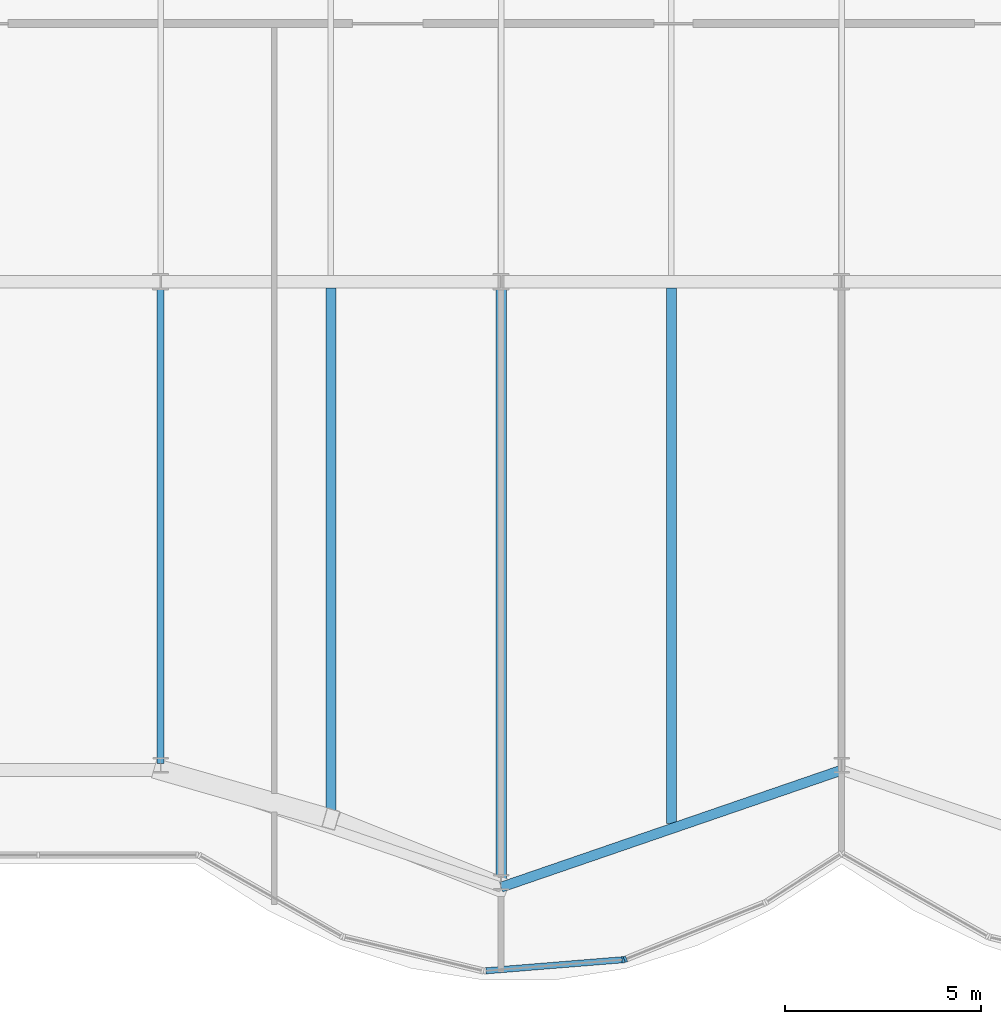
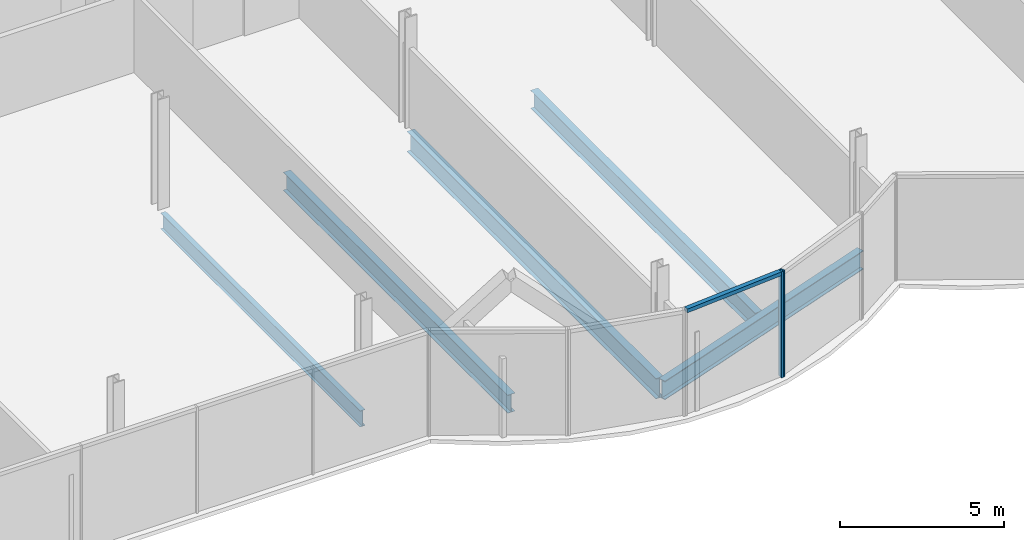
# One storey, part 5 of 21: 5 beams, 3 members, 1 element without a shape of its own.
"""IFC4 building model written with IfcOpenShell, lengths in metres."""

from ifc_helpers import new_model, si_unit, direction, frame, origin, origin_2d, place, context, subcontext, project, spatial, rectangle, i_section, extrude, material, material_profile, profile_set, type_object, element, aggregate, save


model = new_model("IFC4")

# Units and contexts
model_context = context("Model", 3, precision=1e-05, world=origin(), true_north=direction((0.0, 1.0)))
body_context = subcontext(model_context, "Body", "Model", "MODEL_VIEW")
ifc_project = project(units=[si_unit("LENGTHUNIT", "METRE"), si_unit("AREAUNIT", "SQUARE_METRE"), si_unit("VOLUMEUNIT", "CUBIC_METRE"), si_unit("PLANEANGLEUNIT", "RADIAN"), si_unit("MASSUNIT", "GRAM", prefix="KILO")], contexts=[model_context])

# Site, building, storey
site_placement = place(None, origin())
site = spatial("IfcSite", under=ifc_project, at=site_placement, CompositionType="ELEMENT")
building_placement = place(site_placement, origin())
building = spatial("IfcBuilding", under=site, at=building_placement, Name="Bicima Exchange Tower", CompositionType="ELEMENT")
storey_placement = place(building_placement, frame((0.0, 0.0, 126.800048828125)))
storey = spatial("IfcBuildingStorey", under=building, at=storey_placement, Name="L27", CompositionType="ELEMENT", Elevation=126.800048828125)

# Beams
ifc_material_1 = material(Name="Steel ASTM A992 Gr 50", Category="steel")
ifc_material_profile_1 = material_profile(ifc_material_1, i_section(OverallWidth=0.177978515625, OverallDepth=0.599365234375, WebThickness=0.010009765625, FlangeThickness=0.012939453125, at=origin_2d()))
ifc_profile_set_1 = profile_set([ifc_material_profile_1], Name="Steel ASTM A992 Gr 50")
beam_type_1 = type_object("IfcBeamType", Name="Floor beam W24x55", PredefinedType="JOIST", material=ifc_profile_set_1)
beam_1_placement = place(storey_placement, frame((-17.39990234375, -22.16259765625, -0.44970703125), z_axis=(0.0, -1.0, 0.0), x_axis=(1.0, 0.0, 0.0)))
element("IfcBeam", 1, at=beam_1_placement, inside=storey, type_object=beam_type_1, Name="Floor beam", PredefinedType="JOIST", context=body_context, shape_type="SweptSolid", body=[
    extrude(i_section(OverallWidth=0.177978515625, OverallDepth=0.599365234375, WebThickness=0.010009765625, FlangeThickness=0.012939453125, at=origin_2d()), origin(), (0.0, 0.0, 1.0), 12.15087890625),
])
ifc_material_profile_2 = material_profile(ifc_material_1, i_section(OverallWidth=0.25390625, OverallDepth=0.67822265625, WebThickness=0.01171875, FlangeThickness=0.016357421875, at=origin_2d()))
ifc_profile_set_2 = profile_set([ifc_material_profile_2], Name="Steel ASTM A992 Gr 50")
beam_type_2 = type_object("IfcBeamType", Name="Floor beam W27x84", PredefinedType="JOIST", material=ifc_profile_set_2)
for number, where, z_axis, x_axis, name in (
    (2, (-13.050048828125, -22.16259765625, -0.4892578125), (0.0, -1.0, 0.0), (1.0, 0.0, 0.0), "Floor beam"),
    (3, (-4.35009765625, -22.16259765625, -0.4892578125), (0.0, -1.0, 0.0), (1.0, 0.0, 0.0), "Floor beam"),
):
    element("IfcBeam", number, at=place(storey_placement, frame(where, z_axis=z_axis, x_axis=x_axis)), inside=storey, type_object=beam_type_2, Name=name, PredefinedType="JOIST", context=body_context, shape_type="SweptSolid", body=[
        extrude(i_section(OverallWidth=0.25390625, OverallDepth=0.67822265625, WebThickness=0.01171875, FlangeThickness=0.016357421875, at=origin_2d()), origin(), (0.0, 0.0, 1.0), 13.67333984375),
    ])
ifc_material_profile_3 = material_profile(ifc_material_1, i_section(OverallWidth=0.2666015625, OverallDepth=0.75439453125, WebThickness=0.01318359375, FlangeThickness=0.01708984375, at=origin_2d()))
ifc_profile_set_3 = profile_set([ifc_material_profile_3], Name="Steel ASTM A992 Gr 50")
beam_type_3 = type_object("IfcBeamType", Name="Floor beam W30x99", PredefinedType="JOIST", material=ifc_profile_set_3)
beam_2_placement = place(storey_placement, frame((-8.699951171875, -22.16259765625, -0.52734375), z_axis=(0.0, -1.0, 0.0), x_axis=(1.0, 0.0, 0.0)))
element("IfcBeam", 4, at=beam_2_placement, inside=storey, type_object=beam_type_3, Name="Floor beam", PredefinedType="JOIST", context=body_context, shape_type="SweptSolid", body=[
    extrude(i_section(OverallWidth=0.2666015625, OverallDepth=0.75439453125, WebThickness=0.01318359375, FlangeThickness=0.01708984375, at=origin_2d()), origin(), (0.0, 0.0, 1.0), 15.168701171875),
])
ifc_material_profile_4 = material_profile(ifc_material_1, i_section(OverallWidth=0.256591796875, OverallDepth=0.693359375, WebThickness=0.014404296875, FlangeThickness=0.023681640625, at=origin_2d()))
ifc_profile_set_4 = profile_set([ifc_material_profile_4], Name="Steel ASTM A992 Gr 50")
beam_type_4 = type_object("IfcBeamType", Name="Front girder W27x114", PredefinedType="BEAM", material=ifc_profile_set_4)
beam_3_placement = place(storey_placement, frame((-8.699951171875, -37.467041015625, -0.496826171875), z_axis=(0.945674616091, 0.32511462668, 0.0), x_axis=(-0.32511462668, 0.945674616091, 0.0)))
element("IfcBeam", 5, at=beam_3_placement, inside=storey, type_object=beam_type_4, Name="Front girder", PredefinedType="BEAM", context=body_context, shape_type="SweptSolid", body=[
    extrude(i_section(OverallWidth=0.256591796875, OverallDepth=0.693359375, WebThickness=0.014404296875, FlangeThickness=0.023681640625, at=origin_2d()), origin(), (0.0, 0.0, 1.0), 9.19970703125),
])

# Curtain wall, members
ifc_material_2 = material(Name="Anodised bronze aluminium", Category="aluminium")
curtain_wall_type = type_object("IfcCurtainWallType", Name="Front glass wall", PredefinedType="NOTDEFINED", material=ifc_material_2)
curtain_wall_placement = place(storey_placement, origin())
curtain_wall = element("IfcCurtainWall", 6, at=curtain_wall_placement, inside=storey, type_object=curtain_wall_type, Name="Front glass wall L27 run 6", PredefinedType="NOTDEFINED")
ifc_material_profile_5 = material_profile(ifc_material_2, rectangle(XDim=0.159912109375, YDim=0.06005859375, at=origin_2d()))
ifc_profile_set_5 = profile_set([ifc_material_profile_5], Name="Anodised bronze aluminium")
member_type_1 = type_object("IfcMemberType", Name="Front glass wall mullion 60 x 160", PredefinedType="MULLION", material=ifc_profile_set_5)
member_1_placement = place(storey_placement, frame((-5.583984375, -39.32080078125, 0.0), z_axis=(0.0, 0.0, 1.0), x_axis=(-0.080588612633, 0.99674744821, 0.0)))
member_1 = element("IfcMember", 7, at=member_1_placement, type_object=member_type_1, Name="Front glass wall mullion 2", PredefinedType="MULLION", context=body_context, shape_type="SweptSolid", body=[
    extrude(rectangle(XDim=0.159912109375, YDim=0.06005859375, at=origin_2d()), origin(), (0.0, 0.0, 1.0), 3.949951171875),
])
member_2_placement = place(storey_placement, frame((-5.526123046875, -39.30712890625, 0.0), z_axis=(0.0, 0.0, 1.0), x_axis=(-0.374705304, 0.92714396679, 0.0)))
member_2 = element("IfcMember", 8, at=member_2_placement, type_object=member_type_1, Name="Front glass wall mullion 1", PredefinedType="MULLION", context=body_context, shape_type="SweptSolid", body=[
    extrude(rectangle(XDim=0.159912109375, YDim=0.06005859375, at=origin_2d()), origin(), (0.0, 0.0, 1.0), 3.949951171875),
])
ifc_material_profile_6 = material_profile(ifc_material_2, rectangle(XDim=0.159912109375, YDim=0.139892578125, at=origin_2d()))
ifc_profile_set_6 = profile_set([ifc_material_profile_6], Name="Anodised bronze aluminium")
member_type_2 = type_object("IfcMemberType", Name="Front glass wall transom 140 x 160", PredefinedType="USERDEFINED", material=ifc_profile_set_6)
member_3_placement = place(storey_placement, frame((-9.08837890625, -39.604248046875, 3.8798828125), z_axis=(0.9967456465, 0.080610893699, 0.0), x_axis=(-0.080610893699, 0.9967456465, 0.0)))
member_3 = element("IfcMember", 9, at=member_3_placement, type_object=member_type_2, Name="Front glass wall transom 1.1", ObjectType="TRANSOM", PredefinedType="USERDEFINED", context=body_context, shape_type="SweptSolid", body=[
    extrude(rectangle(XDim=0.159912109375, YDim=0.139892578125, at=origin_2d()), origin(), (0.0, 0.0, 1.0), 3.48583984375),
])
aggregate(curtain_wall, [member_1, member_3, member_2])

save(model, "model.ifc")
